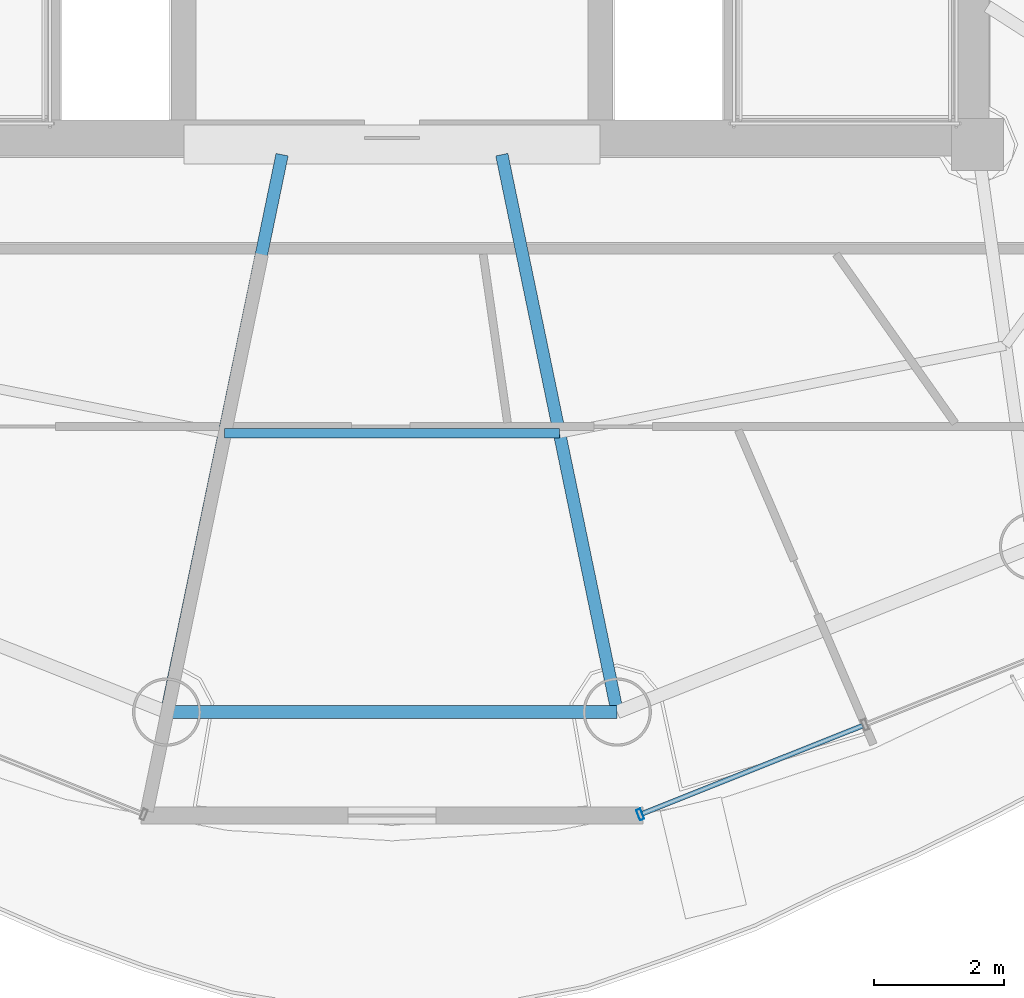
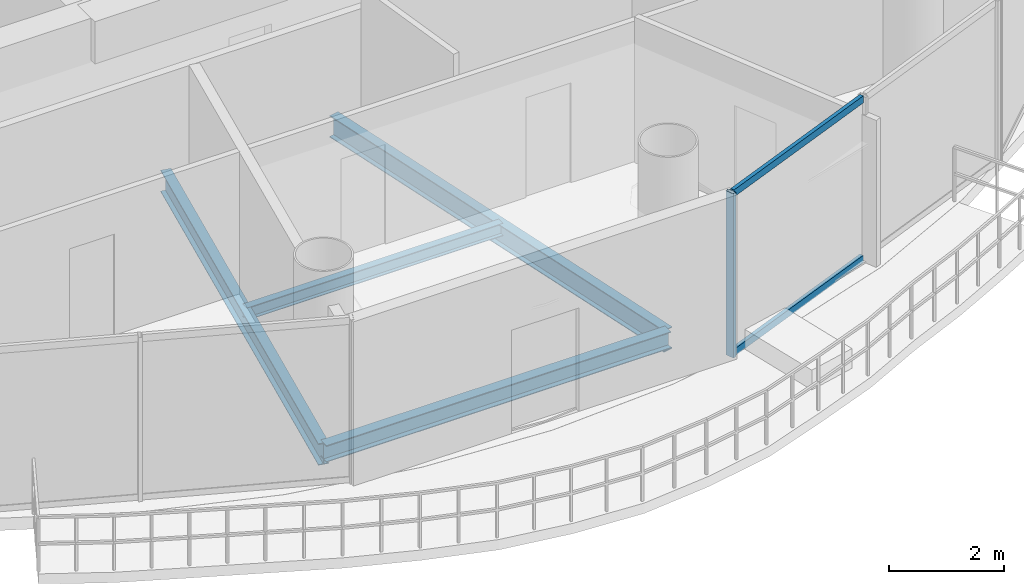
# One storey, part 5 of 23: 4 beams, 3 members, 1 element without a shape of its own.
"""IFC4 building model written with IfcOpenShell, lengths in metres."""

import ifcopenshell
import ifcopenshell.guid

model = None  # the IFC model being written
_history = None  # IfcOwnerHistory: only IFC2X3 demands one
_inside = {}  # id of a spatial element -> (the spatial element, [elements in it])
_under = {}  # id of a project, library or spatial element -> (it, [spatial elements below it])
_declared = {}  # id of a project -> (the project, [libraries it declares])
_typed = {}  # id of a type object -> (the type object, [elements of that type])
_made_of = {}  # id of a material, layer set ... -> (it, [elements and type objects made of it])


def new_model(schema):
    """Start an empty IFC model of exactly this schema.

    Asked for "IFC4X3", IfcOpenShell would pick the latest addendum, in which some entities
    have other attributes; the version numbers below select the first issue.
    IFC2X3 requires an IfcOwnerHistory on every rooted entity: one is made here for all.
    """
    global model, _history
    if schema == "IFC4X3":
        model = ifcopenshell.file(schema_version=(4, 3, 0, 0))
    else:
        model = ifcopenshell.file(schema=schema)
    _inside.clear()
    _under.clear()
    _declared.clear()
    _typed.clear()
    _made_of.clear()
    _history = None
    if model.schema == "IFC2X3":
        org = make("IfcOrganization", Name="unknown")
        user = make(
            "IfcPersonAndOrganization",
            ThePerson=make("IfcPerson", FamilyName="unknown"),
            TheOrganization=org,
        )
        app = make(
            "IfcApplication",
            ApplicationDeveloper=org,
            Version="unknown",
            ApplicationFullName="unknown",
            ApplicationIdentifier="unknown",
        )
        _history = make(
            "IfcOwnerHistory",
            OwningUser=user,
            OwningApplication=app,
            ChangeAction="ADDED",
            CreationDate=0,
        )
    return model


def make(cls, **values):
    """One entity of the class cls with the attributes given. An attribute that is None is left unset."""
    return model.create_entity(
        cls, **{name: value for name, value in values.items() if value is not None}
    )


def rooted(cls, **values):
    """An entity with a GlobalId (a new one), such as an element, a storey or a relation."""
    return make(cls, GlobalId=ifcopenshell.guid.new(), OwnerHistory=_history, **values)


def si_unit(unit_type, name, prefix=None):
    """IfcSIUnit, for example si_unit("LENGTHUNIT", "METRE", prefix="MILLI")."""
    return make("IfcSIUnit", UnitType=unit_type, Prefix=prefix, Name=name)


def assignment(units):
    """IfcUnitAssignment: the units of a project."""
    return None if units is None else make("IfcUnitAssignment", Units=units)


def point(xyz):
    """IfcCartesianPoint."""
    return None if xyz is None else make("IfcCartesianPoint", Coordinates=xyz)


def direction(xyz):
    """IfcDirection."""
    return None if xyz is None else make("IfcDirection", DirectionRatios=xyz)


def frame(location, z_axis=None, x_axis=None):
    """IfcAxis2Placement3D, a coordinate frame: its origin and axes. An axis left out is left unset."""
    return make(
        "IfcAxis2Placement3D",
        Location=point(location),
        Axis=direction(z_axis),
        RefDirection=direction(x_axis),
    )


def frame_2d(location, x_axis=None):
    """IfcAxis2Placement2D, a coordinate frame in the plane: its origin and x axis."""
    return make(
        "IfcAxis2Placement2D", Location=point(location), RefDirection=direction(x_axis)
    )


def origin():
    """The frame at (0, 0, 0) with its axes left unset."""
    return frame((0.0, 0.0, 0.0))


def origin_2d():
    """The frame at (0, 0) in the plane with its x axis left unset."""
    return frame_2d((0.0, 0.0))


def place(relative_to, where):
    """IfcLocalPlacement: puts the frame where relative to a parent placement (None: the world)."""
    return make(
        "IfcLocalPlacement", PlacementRelTo=relative_to, RelativePlacement=where
    )


def context(
    kind, dimensions, precision=None, world=None, true_north=None, identifier=None
):
    """IfcGeometricRepresentationContext, for example the 3D "Model" context."""
    return make(
        "IfcGeometricRepresentationContext",
        ContextIdentifier=identifier,
        ContextType=kind,
        CoordinateSpaceDimension=dimensions,
        Precision=precision,
        WorldCoordinateSystem=world,
        TrueNorth=true_north,
    )


def subcontext(parent, identifier, kind, view, scale=None):
    """IfcGeometricRepresentationSubContext, for example "Body" below "Model"."""
    return make(
        "IfcGeometricRepresentationSubContext",
        ContextIdentifier=identifier,
        ContextType=kind,
        ParentContext=parent,
        TargetScale=scale,
        TargetView=view,
    )


def project(units=None, contexts=None):
    """IfcProject with its units and contexts."""
    return rooted(
        "IfcProject",
        Name="project",
        RepresentationContexts=contexts,
        UnitsInContext=assignment(units),
    )


def spatial(cls, under=None, at=None, **own):
    """A site, building, storey or space (cls), placed at a placement, below another one or the project."""
    s = rooted(cls, ObjectPlacement=at, **own)
    if under is not None:
        _under.setdefault(under.id(), (under, []))[1].append(s)
    return s


def profile(cls, at=None, kind="AREA", **sizes):
    """A parametric profile (cls). Its sizes go by their IFC names, for example OverallWidth=200.0."""
    return make(cls, ProfileType=kind, Position=at, **sizes)


def hollow_rectangle(**sizes):
    """IfcRectangleHollowProfileDef."""
    return profile("IfcRectangleHollowProfileDef", **sizes)


def i_section(**sizes):
    """IfcIShapeProfileDef."""
    return profile("IfcIShapeProfileDef", **sizes)


def extrude(swept, where, along, depth):
    """IfcExtrudedAreaSolid: the profile swept, set in the frame where, extruded along a direction by depth."""
    return make(
        "IfcExtrudedAreaSolid",
        SweptArea=swept,
        Position=where,
        ExtrudedDirection=direction(along),
        Depth=depth,
    )


def shape(context_of_items, identifier, shape_type, items):
    """IfcShapeRepresentation: the items that make up one representation, for example the "Body"."""
    return make(
        "IfcShapeRepresentation",
        ContextOfItems=context_of_items,
        RepresentationIdentifier=identifier,
        RepresentationType=shape_type,
        Items=items,
    )


def source(mapping_origin, context_of_items, identifier, shape_type, items):
    """IfcRepresentationMap: a shape defined once, which mapped items show again and again."""
    return make(
        "IfcRepresentationMap",
        MappingOrigin=mapping_origin,
        MappedRepresentation=shape(context_of_items, identifier, shape_type, items),
    )


def transform(
    local_origin,
    x_axis=None,
    y_axis=None,
    z_axis=None,
    scale=None,
    scale2=None,
    scale3=None,
    uniform=True,
):
    """IfcCartesianTransformationOperator3D, or its non-uniform kind. x_axis, y_axis, z_axis: its Axis1, 2, 3."""
    if uniform:
        return make(
            "IfcCartesianTransformationOperator3D",
            Axis1=direction(x_axis),
            Axis2=direction(y_axis),
            LocalOrigin=point(local_origin),
            Scale=scale,
            Axis3=direction(z_axis),
        )
    return make(
        "IfcCartesianTransformationOperator3DnonUniform",
        Axis1=direction(x_axis),
        Axis2=direction(y_axis),
        LocalOrigin=point(local_origin),
        Scale=scale,
        Axis3=direction(z_axis),
        Scale2=scale2,
        Scale3=scale3,
    )


def mapped(mapping_source, mapping_target):
    """IfcMappedItem: shows the shape of a source again, moved by a transform."""
    return make(
        "IfcMappedItem", MappingSource=mapping_source, MappingTarget=mapping_target
    )


def material(Name=None, Category=None):
    """IfcMaterial."""
    return make("IfcMaterial", Name=Name, Category=Category)


def material_profile(
    of_material, cross_section, Name=None, Category=None, Priority=None
):
    """IfcMaterialProfile: a cross section and its material."""
    return make(
        "IfcMaterialProfile",
        Name=Name,
        Material=of_material,
        Profile=cross_section,
        Priority=Priority,
        Category=Category,
    )


def profile_set(profiles, Name=None, composite=None):
    """IfcMaterialProfileSet."""
    return make(
        "IfcMaterialProfileSet",
        Name=Name,
        MaterialProfiles=profiles,
        CompositeProfile=composite,
    )


def made_of(thing, what):
    """Note that an element or type object is made of a material, layer set ...; save() writes the relation."""
    if what is not None:
        _made_of.setdefault(what.id(), (what, []))[1].append(thing)
    return thing


def type_object(cls, material=None, **own):
    """A type object (cls), such as IfcWallType, which elements share."""
    return made_of(rooted(cls, **own), material)


def element(
    cls,
    number,
    at=None,
    inside=None,
    cuts=None,
    type_object=None,
    material=None,
    context=None,
    identifier="Body",
    shape_type=None,
    held_by="IfcProductDefinitionShape",
    body=None,
    shapes=None,
    **own,
):
    """One element of the class cls, such as IfcWall. Its Tag is "e" and its number.

    at: its placement. inside: the storey or other place that contains it. cuts: it is an
    opening in that element (IfcRelVoidsElement). A single representation is given by context,
    identifier, shape_type and body (its items); several are given by shapes. held_by: the class
    of the entity that holds the representations. save() writes the other relations.
    """
    e = rooted(cls, Tag="e%d" % number, ObjectPlacement=at, **own)
    if body is not None:
        shapes = [shape(context, identifier, shape_type, body)]
    if shapes is not None:
        e.Representation = make(held_by, Representations=shapes)
    if inside is not None:
        _inside.setdefault(inside.id(), (inside, []))[1].append(e)
    if cuts is not None:
        rooted(
            "IfcRelVoidsElement", RelatingBuildingElement=cuts, RelatedOpeningElement=e
        )
    if type_object is not None:
        _typed.setdefault(type_object.id(), (type_object, []))[1].append(e)
    return made_of(e, material)


def aggregate(whole, parts):
    """IfcRelAggregates: a whole, such as a stair, and the parts it consists of."""
    return rooted("IfcRelAggregates", RelatingObject=whole, RelatedObjects=parts)


def save(model, path):
    """Write the relations noted so far, then the file.

    IfcRelAggregates (storeys below a building ...), IfcRelContainedInSpatialStructure (elements
    in a storey), IfcRelDefinesByType, IfcRelAssociatesMaterial and IfcRelDeclares: one each for
    every whole, place, type object, material and project.
    """
    for whole, parts in _under.values():
        aggregate(whole, parts)
    for where, things in _inside.values():
        rooted(
            "IfcRelContainedInSpatialStructure",
            RelatedElements=things,
            RelatingStructure=where,
        )
    for kind, things in _typed.values():
        rooted("IfcRelDefinesByType", RelatedObjects=things, RelatingType=kind)
    for what, things in _made_of.values():
        rooted("IfcRelAssociatesMaterial", RelatedObjects=things, RelatingMaterial=what)
    for by, libraries in _declared.values():
        rooted("IfcRelDeclares", RelatingContext=by, RelatedDefinitions=libraries)
    model.write(path)


model = new_model("IFC4")

# Units and contexts
model_context = context("Model", 3, precision=1e-05, world=origin(), true_north=direction((-0.2419218956, 0.970295726276)))
body_context = subcontext(model_context, "Body", "Model", "MODEL_VIEW")
ifc_project = project(units=[si_unit("LENGTHUNIT", "METRE"), si_unit("AREAUNIT", "SQUARE_METRE"), si_unit("VOLUMEUNIT", "CUBIC_METRE"), si_unit("PLANEANGLEUNIT", "RADIAN"), si_unit("MASSUNIT", "GRAM", prefix="KILO")], contexts=[model_context])

# Site, building, storey
site_placement = place(None, origin())
site = spatial("IfcSite", under=ifc_project, at=site_placement, CompositionType="ELEMENT")
building_placement = place(site_placement, origin())
building = spatial("IfcBuilding", under=site, at=building_placement, Name="Cobrevalo Terracotta Tower", CompositionType="ELEMENT")
storey_placement = place(building_placement, frame((0.0, 0.0, 263.199951171875)))
storey = spatial("IfcBuildingStorey", under=building, at=storey_placement, Name="L69", CompositionType="ELEMENT", Elevation=263.199951171875)

# Beams
ifc_material_1 = material(Name="Steel S355", Category="steel")
ifc_material_profile_1 = material_profile(ifc_material_1, i_section(OverallWidth=0.19091796875, OverallDepth=0.4599609375, WebThickness=0.010009765625, FlangeThickness=0.01611328125, at=origin_2d()), Name="W 460x82")
ifc_profile_set_1 = profile_set([ifc_material_profile_1], Name="Steel S355")
beam_type_1 = type_object("IfcBeamType", Name="Structural Beam W 460x82 (Steel S355)", PredefinedType="BEAM", material=ifc_profile_set_1)
for number, where, z_axis, x_axis, name in (
    (1, (34.537109375, 10.07763671875, -0.489990234375), (0.202781841237, 0.9792239401, 0.0), (-0.9792239401, 0.202781841237, 0.0), "L69 radial floor girder 12"),
    (2, (41.462890625, 10.07763671875, -0.489990234375), (-0.202781841237, 0.9792239401, 0.0), (-0.9792239401, -0.202781841237, 0.0), "L69 radial floor girder 13"),
):
    element("IfcBeam", number, at=place(storey_placement, frame(where, z_axis=z_axis, x_axis=x_axis)), inside=storey, type_object=beam_type_1, Name=name, PredefinedType="BEAM", context=body_context, shape_type="SweptSolid", body=[
        extrude(i_section(OverallWidth=0.19091796875, OverallDepth=0.4599609375, WebThickness=0.010009765625, FlangeThickness=0.01611328125, at=origin_2d()), origin(), (0.0, 0.0, 1.0), 8.749267578125),
    ])
ifc_material_profile_2 = material_profile(ifc_material_1, i_section(OverallWidth=0.14794921875, OverallDepth=0.26611328125, WebThickness=0.007568359375, FlangeThickness=0.012939453125, at=origin_2d()), Name="W 250x44.8")
ifc_profile_set_2 = profile_set([ifc_material_profile_2], Name="Steel S355")
beam_type_2 = type_object("IfcBeamType", Name="Structural Joist W 250x44.8 (Steel S355)", PredefinedType="JOIST", material=ifc_profile_set_2)
beam_1_placement = place(storey_placement, frame((35.42431640625, 14.361328125, -0.39306640625), z_axis=(1.0, 0.0, 0.0), x_axis=(0.0, 1.0, 0.0)))
element("IfcBeam", 3, at=beam_1_placement, inside=storey, type_object=beam_type_2, Name="L69 circumferential secondary floor joist 12", PredefinedType="JOIST", context=body_context, shape_type="SweptSolid", body=[
    extrude(i_section(OverallWidth=0.14794921875, OverallDepth=0.26611328125, WebThickness=0.007568359375, FlangeThickness=0.012939453125, at=origin_2d()), origin(), (0.0, 0.0, 1.0), 5.1513671875),
])
ifc_material_profile_3 = material_profile(ifc_material_1, i_section(OverallWidth=0.205078125, OverallDepth=0.35400390625, WebThickness=0.009521484375, FlangeThickness=0.016845703125, at=origin_2d()), Name="W 360x79")
ifc_profile_set_3 = profile_set([ifc_material_profile_3], Name="Steel S355")
beam_type_3 = type_object("IfcBeamType", Name="Structural Spandrel W 360x79 (Steel S355)", PredefinedType="SPANDREL", material=ifc_profile_set_3)
beam_2_placement = place(storey_placement, frame((34.537109375, 10.07763671875, -0.43701171875), z_axis=(1.0, 0.0, 0.0), x_axis=(0.0, 1.0, 0.0)))
element("IfcBeam", 4, at=beam_2_placement, inside=storey, type_object=beam_type_3, Name="L69 perimeter ring spandrel 12", PredefinedType="SPANDREL", context=body_context, shape_type="SweptSolid", body=[
    extrude(i_section(OverallWidth=0.205078125, OverallDepth=0.35400390625, WebThickness=0.009521484375, FlangeThickness=0.016845703125, at=origin_2d()), origin(), (0.0, 0.0, 1.0), 6.92578125),
])

# Curtain wall, members
ifc_material_2 = material(Name="Anodized aluminium", Category="aluminium")
curtain_wall_type = type_object("IfcCurtainWallType", Name="Upper-tower triple-glazed penthouse curtain wall CW-U3", PredefinedType="NOTDEFINED", material=ifc_material_2)
curtain_wall_placement = place(storey_placement, origin())
curtain_wall = element("IfcCurtainWall", 5, at=curtain_wall_placement, inside=storey, type_object=curtain_wall_type, Name="L69 curtain wall CW-L69-S13", PredefinedType="NOTDEFINED")
ifc_material_profile_4 = material_profile(ifc_material_2, hollow_rectangle(XDim=0.070068359375, YDim=0.169921875, WallThickness=0.00439453125, at=origin_2d()), Name="CWM 70x170")
ifc_profile_set_4 = profile_set([ifc_material_profile_4], Name="Anodized aluminium")
member_type_1 = type_object("IfcMemberType", Name="Upper tower unitised mullion 70x170", PredefinedType="MULLION", material=ifc_profile_set_4)
shared_shape_1 = source(origin(), body_context, "Body", "SweptSolid", [
    extrude(hollow_rectangle(XDim=0.070068359375, YDim=0.169921875, WallThickness=0.00439453125, at=origin_2d()), origin(), (0.0, 0.0, 1.0), 3.489990234375),
])
member_1_placement = place(storey_placement, frame((41.816162109375, 8.503662109375, 0.0), z_axis=(0.0, 0.0, 1.0), x_axis=(0.928718980883, 0.370784377433, 0.0)))
member_1 = element("IfcMember", 6, at=member_1_placement, type_object=member_type_1, Name="CW-L69-S13 vertical mullion 01", PredefinedType="MULLION", context=body_context, shape_type="MappedRepresentation", body=[
    mapped(shared_shape_1, transform((0.0, 0.0, 0.0), scale=1.0)),
])
ifc_material_profile_5 = material_profile(ifc_material_2, hollow_rectangle(XDim=0.074951171875, YDim=0.14990234375, WallThickness=0.00439453125, at=origin_2d()), Name="CWT 75x150")
ifc_profile_set_5 = profile_set([ifc_material_profile_5], Name="Anodized aluminium")
member_type_2 = type_object("IfcMemberType", Name="Tower unitised aluminium transom 75x150", PredefinedType="USERDEFINED", material=ifc_profile_set_5)
shared_shape_2 = source(origin(), body_context, "Body", "SweptSolid", [
    extrude(hollow_rectangle(XDim=0.074951171875, YDim=0.14990234375, WallThickness=0.00439453125, at=origin_2d()), origin(), (0.0, 0.0, 1.0), 3.63916015625),
])
member_2_placement = place(storey_placement, frame((41.853271484375, 8.518310546875, 0.050048828125), z_axis=(0.928712471544, 0.370800681227, 0.0), x_axis=(-0.370800681227, 0.928712471544, 0.0)))
member_2 = element("IfcMember", 7, at=member_2_placement, type_object=member_type_2, Name="CW-L69-S13 transom B01-T1", ObjectType="TRANSOM", PredefinedType="USERDEFINED", context=body_context, shape_type="MappedRepresentation", body=[
    mapped(shared_shape_2, transform((0.0, 0.0, 0.0), scale=1.0)),
])
member_3_placement = place(storey_placement, frame((41.853271484375, 8.518310546875, 3.43994140625), z_axis=(0.928712471544, 0.370800681227, 0.0), x_axis=(-0.370800681227, 0.928712471544, 0.0)))
member_3 = element("IfcMember", 8, at=member_3_placement, type_object=member_type_2, Name="CW-L69-S13 transom B01-T2", ObjectType="TRANSOM", PredefinedType="USERDEFINED", context=body_context, shape_type="MappedRepresentation", body=[
    mapped(shared_shape_2, transform((0.0, 0.0, 0.0), scale=1.0)),
])
aggregate(curtain_wall, [member_1, member_2, member_3])

save(model, "model.ifc")
